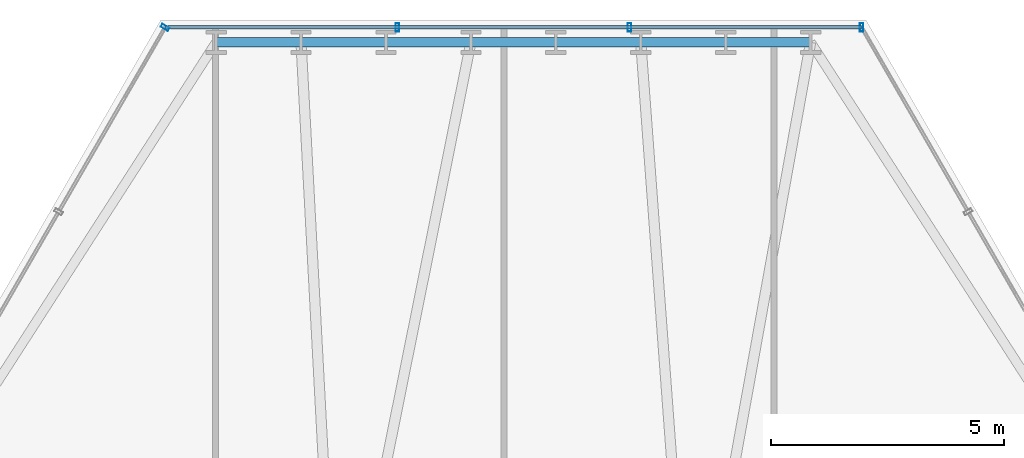
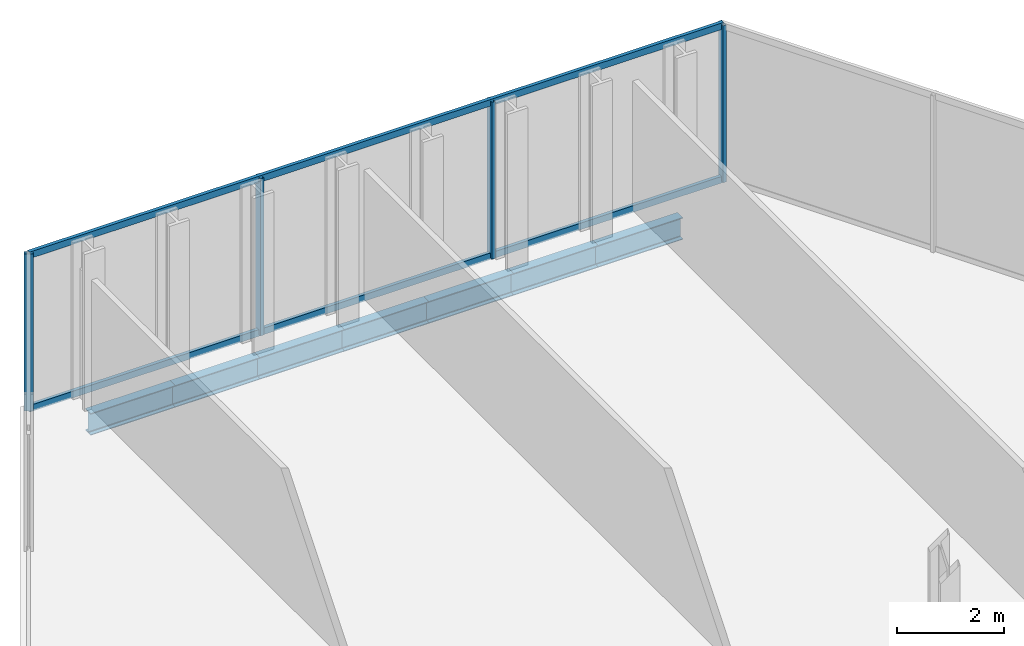
# One storey, part 24 of 32: 7 beams, 6 members, 2 elements without a shape of their own.
"""IFC4 building model written with IfcOpenShell, lengths in metres."""

import ifcopenshell
import ifcopenshell.guid

model = None  # the IFC model being written
_history = None  # IfcOwnerHistory: only IFC2X3 demands one
_inside = {}  # id of a spatial element -> (the spatial element, [elements in it])
_under = {}  # id of a project, library or spatial element -> (it, [spatial elements below it])
_declared = {}  # id of a project -> (the project, [libraries it declares])
_typed = {}  # id of a type object -> (the type object, [elements of that type])
_made_of = {}  # id of a material, layer set ... -> (it, [elements and type objects made of it])


def new_model(schema):
    """Start an empty IFC model of exactly this schema.

    Asked for "IFC4X3", IfcOpenShell would pick the latest addendum, in which some entities
    have other attributes; the version numbers below select the first issue.
    IFC2X3 requires an IfcOwnerHistory on every rooted entity: one is made here for all.
    """
    global model, _history
    if schema == "IFC4X3":
        model = ifcopenshell.file(schema_version=(4, 3, 0, 0))
    else:
        model = ifcopenshell.file(schema=schema)
    _inside.clear()
    _under.clear()
    _declared.clear()
    _typed.clear()
    _made_of.clear()
    _history = None
    if model.schema == "IFC2X3":
        org = make("IfcOrganization", Name="unknown")
        user = make(
            "IfcPersonAndOrganization",
            ThePerson=make("IfcPerson", FamilyName="unknown"),
            TheOrganization=org,
        )
        app = make(
            "IfcApplication",
            ApplicationDeveloper=org,
            Version="unknown",
            ApplicationFullName="unknown",
            ApplicationIdentifier="unknown",
        )
        _history = make(
            "IfcOwnerHistory",
            OwningUser=user,
            OwningApplication=app,
            ChangeAction="ADDED",
            CreationDate=0,
        )
    return model


def make(cls, **values):
    """One entity of the class cls with the attributes given. An attribute that is None is left unset."""
    return model.create_entity(
        cls, **{name: value for name, value in values.items() if value is not None}
    )


def rooted(cls, **values):
    """An entity with a GlobalId (a new one), such as an element, a storey or a relation."""
    return make(cls, GlobalId=ifcopenshell.guid.new(), OwnerHistory=_history, **values)


def si_unit(unit_type, name, prefix=None):
    """IfcSIUnit, for example si_unit("LENGTHUNIT", "METRE", prefix="MILLI")."""
    return make("IfcSIUnit", UnitType=unit_type, Prefix=prefix, Name=name)


def assignment(units):
    """IfcUnitAssignment: the units of a project."""
    return None if units is None else make("IfcUnitAssignment", Units=units)


def point(xyz):
    """IfcCartesianPoint."""
    return None if xyz is None else make("IfcCartesianPoint", Coordinates=xyz)


def direction(xyz):
    """IfcDirection."""
    return None if xyz is None else make("IfcDirection", DirectionRatios=xyz)


def frame(location, z_axis=None, x_axis=None):
    """IfcAxis2Placement3D, a coordinate frame: its origin and axes. An axis left out is left unset."""
    return make(
        "IfcAxis2Placement3D",
        Location=point(location),
        Axis=direction(z_axis),
        RefDirection=direction(x_axis),
    )


def frame_2d(location, x_axis=None):
    """IfcAxis2Placement2D, a coordinate frame in the plane: its origin and x axis."""
    return make(
        "IfcAxis2Placement2D", Location=point(location), RefDirection=direction(x_axis)
    )


def origin():
    """The frame at (0, 0, 0) with its axes left unset."""
    return frame((0.0, 0.0, 0.0))


def origin_2d():
    """The frame at (0, 0) in the plane with its x axis left unset."""
    return frame_2d((0.0, 0.0))


def place(relative_to, where):
    """IfcLocalPlacement: puts the frame where relative to a parent placement (None: the world)."""
    return make(
        "IfcLocalPlacement", PlacementRelTo=relative_to, RelativePlacement=where
    )


def context(
    kind, dimensions, precision=None, world=None, true_north=None, identifier=None
):
    """IfcGeometricRepresentationContext, for example the 3D "Model" context."""
    return make(
        "IfcGeometricRepresentationContext",
        ContextIdentifier=identifier,
        ContextType=kind,
        CoordinateSpaceDimension=dimensions,
        Precision=precision,
        WorldCoordinateSystem=world,
        TrueNorth=true_north,
    )


def subcontext(parent, identifier, kind, view, scale=None):
    """IfcGeometricRepresentationSubContext, for example "Body" below "Model"."""
    return make(
        "IfcGeometricRepresentationSubContext",
        ContextIdentifier=identifier,
        ContextType=kind,
        ParentContext=parent,
        TargetScale=scale,
        TargetView=view,
    )


def project(units=None, contexts=None):
    """IfcProject with its units and contexts."""
    return rooted(
        "IfcProject",
        Name="project",
        RepresentationContexts=contexts,
        UnitsInContext=assignment(units),
    )


def spatial(cls, under=None, at=None, **own):
    """A site, building, storey or space (cls), placed at a placement, below another one or the project."""
    s = rooted(cls, ObjectPlacement=at, **own)
    if under is not None:
        _under.setdefault(under.id(), (under, []))[1].append(s)
    return s


def profile(cls, at=None, kind="AREA", **sizes):
    """A parametric profile (cls). Its sizes go by their IFC names, for example OverallWidth=200.0."""
    return make(cls, ProfileType=kind, Position=at, **sizes)


def hollow_rectangle(**sizes):
    """IfcRectangleHollowProfileDef."""
    return profile("IfcRectangleHollowProfileDef", **sizes)


def i_section(**sizes):
    """IfcIShapeProfileDef."""
    return profile("IfcIShapeProfileDef", **sizes)


def extrude(swept, where, along, depth):
    """IfcExtrudedAreaSolid: the profile swept, set in the frame where, extruded along a direction by depth."""
    return make(
        "IfcExtrudedAreaSolid",
        SweptArea=swept,
        Position=where,
        ExtrudedDirection=direction(along),
        Depth=depth,
    )


def shape(context_of_items, identifier, shape_type, items):
    """IfcShapeRepresentation: the items that make up one representation, for example the "Body"."""
    return make(
        "IfcShapeRepresentation",
        ContextOfItems=context_of_items,
        RepresentationIdentifier=identifier,
        RepresentationType=shape_type,
        Items=items,
    )


def material(Name=None, Category=None):
    """IfcMaterial."""
    return make("IfcMaterial", Name=Name, Category=Category)


def layer(
    of_material, thickness, ventilated=None, Name=None, Category=None, Priority=None
):
    """IfcMaterialLayer: one layer of a wall or slab, of a material (None: an air gap)."""
    return make(
        "IfcMaterialLayer",
        Material=of_material,
        LayerThickness=thickness,
        IsVentilated=ventilated,
        Name=Name,
        Category=Category,
        Priority=Priority,
    )


def layer_set(layers, Name=None):
    """IfcMaterialLayerSet."""
    return make("IfcMaterialLayerSet", MaterialLayers=layers, LayerSetName=Name)


def material_profile(
    of_material, cross_section, Name=None, Category=None, Priority=None
):
    """IfcMaterialProfile: a cross section and its material."""
    return make(
        "IfcMaterialProfile",
        Name=Name,
        Material=of_material,
        Profile=cross_section,
        Priority=Priority,
        Category=Category,
    )


def profile_set(profiles, Name=None, composite=None):
    """IfcMaterialProfileSet."""
    return make(
        "IfcMaterialProfileSet",
        Name=Name,
        MaterialProfiles=profiles,
        CompositeProfile=composite,
    )


def made_of(thing, what):
    """Note that an element or type object is made of a material, layer set ...; save() writes the relation."""
    if what is not None:
        _made_of.setdefault(what.id(), (what, []))[1].append(thing)
    return thing


def type_object(cls, material=None, **own):
    """A type object (cls), such as IfcWallType, which elements share."""
    return made_of(rooted(cls, **own), material)


def element(
    cls,
    number,
    at=None,
    inside=None,
    cuts=None,
    type_object=None,
    material=None,
    context=None,
    identifier="Body",
    shape_type=None,
    held_by="IfcProductDefinitionShape",
    body=None,
    shapes=None,
    **own,
):
    """One element of the class cls, such as IfcWall. Its Tag is "e" and its number.

    at: its placement. inside: the storey or other place that contains it. cuts: it is an
    opening in that element (IfcRelVoidsElement). A single representation is given by context,
    identifier, shape_type and body (its items); several are given by shapes. held_by: the class
    of the entity that holds the representations. save() writes the other relations.
    """
    e = rooted(cls, Tag="e%d" % number, ObjectPlacement=at, **own)
    if body is not None:
        shapes = [shape(context, identifier, shape_type, body)]
    if shapes is not None:
        e.Representation = make(held_by, Representations=shapes)
    if inside is not None:
        _inside.setdefault(inside.id(), (inside, []))[1].append(e)
    if cuts is not None:
        rooted(
            "IfcRelVoidsElement", RelatingBuildingElement=cuts, RelatedOpeningElement=e
        )
    if type_object is not None:
        _typed.setdefault(type_object.id(), (type_object, []))[1].append(e)
    return made_of(e, material)


def aggregate(whole, parts):
    """IfcRelAggregates: a whole, such as a stair, and the parts it consists of."""
    return rooted("IfcRelAggregates", RelatingObject=whole, RelatedObjects=parts)


def save(model, path):
    """Write the relations noted so far, then the file.

    IfcRelAggregates (storeys below a building ...), IfcRelContainedInSpatialStructure (elements
    in a storey), IfcRelDefinesByType, IfcRelAssociatesMaterial and IfcRelDeclares: one each for
    every whole, place, type object, material and project.
    """
    for whole, parts in _under.values():
        aggregate(whole, parts)
    for where, things in _inside.values():
        rooted(
            "IfcRelContainedInSpatialStructure",
            RelatedElements=things,
            RelatingStructure=where,
        )
    for kind, things in _typed.values():
        rooted("IfcRelDefinesByType", RelatedObjects=things, RelatingType=kind)
    for what, things in _made_of.values():
        rooted("IfcRelAssociatesMaterial", RelatedObjects=things, RelatingMaterial=what)
    for by, libraries in _declared.values():
        rooted("IfcRelDeclares", RelatingContext=by, RelatedDefinitions=libraries)
    model.write(path)


model = new_model("IFC4")

# Units and contexts
model_context = context("Model", 3, precision=1e-05, world=origin(), true_north=direction((0.0, 1.0)))
body_context = subcontext(model_context, "Body", "Model", "MODEL_VIEW")
ifc_project = project(units=[si_unit("LENGTHUNIT", "METRE"), si_unit("AREAUNIT", "SQUARE_METRE"), si_unit("VOLUMEUNIT", "CUBIC_METRE"), si_unit("PLANEANGLEUNIT", "RADIAN"), si_unit("MASSUNIT", "GRAM", prefix="KILO")], contexts=[model_context])

# Site, building, storey
site_placement = place(None, origin())
site = spatial("IfcSite", under=ifc_project, at=site_placement, CompositionType="ELEMENT")
building_placement = place(site_placement, origin())
building = spatial("IfcBuilding", under=site, at=building_placement, Name="Ndaravel Arena Tower", CompositionType="ELEMENT")
storey_placement = place(building_placement, frame((0.0, 0.0, 74.0)))
storey = spatial("IfcBuildingStorey", under=building, at=storey_placement, Name="L16", CompositionType="ELEMENT", Elevation=74.0)

# Beams
ifc_material_1 = material(Name="Steel S355", Category="steel")
ifc_material_profile_1 = material_profile(ifc_material_1, i_section(OverallWidth=0.199951171875, OverallDepth=0.5, WebThickness=0.01025390625, FlangeThickness=0.01611328125, FilletRadius=0.02099609375, at=origin_2d()), Name="IPE 500")
ifc_profile_set_1 = profile_set([ifc_material_profile_1], Name="Steel S355")
beam_type = type_object("IfcBeamType", Name="BM-SPAN-IPE500", PredefinedType="SPANDREL", material=ifc_profile_set_1)
for number, where, z_axis, x_axis, name in (
    (1, (48.38916015625, 45.545654296875, -0.469970703125), (-1.0, 0.0, 0.0), (0.0, -1.0, 0.0), "L16 Perimeter Spandrel Beam SP-11"),
    (2, (46.563720703125, 45.545654296875, -0.469970703125), (-1.0, 0.0, 0.0), (0.0, -1.0, 0.0), "L16 Perimeter Spandrel Beam SP-12"),
):
    element("IfcBeam", number, at=place(storey_placement, frame(where, z_axis=z_axis, x_axis=x_axis)), inside=storey, type_object=beam_type, Name=name, PredefinedType="SPANDREL", context=body_context, shape_type="SweptSolid", body=[
        extrude(i_section(OverallWidth=0.199951171875, OverallDepth=0.5, WebThickness=0.01025390625, FlangeThickness=0.01611328125, FilletRadius=0.02099609375, at=origin_2d()), origin(), (0.0, 0.0, 1.0), 1.825439453125),
    ])
beam_1_placement = place(storey_placement, frame((44.73828125, 45.545654296875, -0.469970703125), z_axis=(-1.0, 0.0, 0.0), x_axis=(0.0, -1.0, 0.0)))
element("IfcBeam", 3, at=beam_1_placement, inside=storey, type_object=beam_type, Name="L16 Perimeter Spandrel Beam SP-13", PredefinedType="SPANDREL", context=body_context, shape_type="SweptSolid", body=[
    extrude(i_section(OverallWidth=0.199951171875, OverallDepth=0.5, WebThickness=0.01025390625, FlangeThickness=0.01611328125, FilletRadius=0.02099609375, at=origin_2d()), origin(), (0.0, 0.0, 1.0), 1.82568359375),
])
beam_2_placement = place(storey_placement, frame((42.91259765625, 45.545654296875, -0.469970703125), z_axis=(-1.0, 0.0, 0.0), x_axis=(0.0, -1.0, 0.0)))
element("IfcBeam", 4, at=beam_2_placement, inside=storey, type_object=beam_type, Name="L16 Perimeter Spandrel Beam SP-14", PredefinedType="SPANDREL", context=body_context, shape_type="SweptSolid", body=[
    extrude(i_section(OverallWidth=0.199951171875, OverallDepth=0.5, WebThickness=0.01025390625, FlangeThickness=0.01611328125, FilletRadius=0.02099609375, at=origin_2d()), origin(), (0.0, 0.0, 1.0), 1.8251953125),
])
beam_3_placement = place(storey_placement, frame((41.08740234375, 45.545654296875, -0.469970703125), z_axis=(-1.0, 0.0, 0.0), x_axis=(0.0, -1.0, 0.0)))
element("IfcBeam", 5, at=beam_3_placement, inside=storey, type_object=beam_type, Name="L16 Perimeter Spandrel Beam SP-15", PredefinedType="SPANDREL", context=body_context, shape_type="SweptSolid", body=[
    extrude(i_section(OverallWidth=0.199951171875, OverallDepth=0.5, WebThickness=0.01025390625, FlangeThickness=0.01611328125, FilletRadius=0.02099609375, at=origin_2d()), origin(), (0.0, 0.0, 1.0), 1.82568359375),
])
for number, where, z_axis, x_axis, name in (
    (6, (39.26171875, 45.545654296875, -0.469970703125), (-1.0, 0.0, 0.0), (0.0, -1.0, 0.0), "L16 Perimeter Spandrel Beam SP-16"),
    (7, (37.436279296875, 45.545654296875, -0.469970703125), (-1.0, 0.0, 0.0), (0.0, -1.0, 0.0), "L16 Perimeter Spandrel Beam SP-17"),
):
    element("IfcBeam", number, at=place(storey_placement, frame(where, z_axis=z_axis, x_axis=x_axis)), inside=storey, type_object=beam_type, Name=name, PredefinedType="SPANDREL", context=body_context, shape_type="SweptSolid", body=[
        extrude(i_section(OverallWidth=0.199951171875, OverallDepth=0.5, WebThickness=0.01025390625, FlangeThickness=0.01611328125, FilletRadius=0.02099609375, at=origin_2d()), origin(), (0.0, 0.0, 1.0), 1.825439453125),
    ])

# Curtain wall, members
ifc_material_2 = material(Name="Aluminium", Category="aluminium")
ifc_layer_1 = layer(ifc_material_2, 0.179931640625)
ifc_layer_set_1 = layer_set([ifc_layer_1], Name="Aluminium")
curtain_wall_type_1 = type_object("IfcCurtainWallType", Name="CW-SYS-01", PredefinedType="NOTDEFINED", material=ifc_layer_set_1)
curtain_wall_1_placement = place(storey_placement, origin())
curtain_wall_1 = element("IfcCurtainWall", 8, at=curtain_wall_1_placement, inside=storey, type_object=curtain_wall_type_1, Name="L16 Faceted Crystal Curtain Wall CW-L16-E04", PredefinedType="NOTDEFINED")
ifc_material_3 = material(Name="Aluminium", Category="aluminium")
ifc_material_profile_2 = material_profile(ifc_material_3, hollow_rectangle(XDim=0.074951171875, YDim=0.179931640625, WallThickness=0.00390625, at=origin_2d()), Name="CW MULLION 75x180x4")
ifc_profile_set_2 = profile_set([ifc_material_profile_2], Name="Aluminium")
member_type_1 = type_object("IfcMemberType", Name="MEM-CW-MUL180", PredefinedType="MULLION", material=ifc_profile_set_2)
member_1_placement = place(storey_placement, frame((49.486572265625, 45.865478515625, 0.0), z_axis=(0.0, 0.0, 1.0), x_axis=(-1.0, 0.0, 0.0)))
member_1 = element("IfcMember", 9, at=member_1_placement, type_object=member_type_1, Name="CW-L16-E04 Mullion 00", PredefinedType="MULLION", context=body_context, shape_type="SweptSolid", body=[
    extrude(hollow_rectangle(XDim=0.074951171875, YDim=0.179931640625, WallThickness=0.00390625, at=origin_2d()), origin(), (0.0, 0.0, 1.0), 3.580078125),
])
member_2_placement = place(storey_placement, frame((44.49560546875, 45.865478515625, 0.0), z_axis=(0.0, 0.0, 1.0), x_axis=(-1.0, 0.0, 0.0)))
member_2 = element("IfcMember", 10, at=member_2_placement, type_object=member_type_1, Name="CW-L16-E04 Mullion 01", PredefinedType="MULLION", context=body_context, shape_type="SweptSolid", body=[
    extrude(hollow_rectangle(XDim=0.074951171875, YDim=0.179931640625, WallThickness=0.00390625, at=origin_2d()), origin(), (0.0, 0.0, 1.0), 3.580078125),
])
member_3_placement = place(storey_placement, frame((39.50439453125, 45.865478515625, 0.0), z_axis=(0.0, 0.0, 1.0), x_axis=(-1.0, 0.0, 0.0)))
member_3 = element("IfcMember", 11, at=member_3_placement, type_object=member_type_1, Name="CW-L16-E04 Mullion 02", PredefinedType="MULLION", context=body_context, shape_type="SweptSolid", body=[
    extrude(hollow_rectangle(XDim=0.074951171875, YDim=0.179931640625, WallThickness=0.00390625, at=origin_2d()), origin(), (0.0, 0.0, 1.0), 3.580078125),
])

# Curtain wall, member
ifc_material_4 = material(Name="Aluminium", Category="aluminium")
ifc_layer_2 = layer(ifc_material_4, 0.179931640625)
ifc_layer_set_2 = layer_set([ifc_layer_2], Name="Aluminium")
curtain_wall_type_2 = type_object("IfcCurtainWallType", Name="CW-SYS-03", PredefinedType="NOTDEFINED", material=ifc_layer_set_2)
curtain_wall_2_placement = place(storey_placement, origin())
curtain_wall_2 = element("IfcCurtainWall", 12, at=curtain_wall_2_placement, inside=storey, type_object=curtain_wall_type_2, Name="L16 Faceted Crystal Curtain Wall CW-L16-E05", PredefinedType="NOTDEFINED")
member_4_placement = place(storey_placement, frame((34.513427734375, 45.865478515625, 0.0), z_axis=(0.0, 0.0, 1.0), x_axis=(-0.5, -0.866025403784, 0.0)))
member_4 = element("IfcMember", 13, at=member_4_placement, type_object=member_type_1, Name="CW-L16-E05 Mullion 00", PredefinedType="MULLION", context=body_context, shape_type="SweptSolid", body=[
    extrude(hollow_rectangle(XDim=0.074951171875, YDim=0.179931640625, WallThickness=0.00390625, at=origin_2d()), origin(), (0.0, 0.0, 1.0), 3.580078125),
])
aggregate(curtain_wall_2, [member_4])

# Member
ifc_material_5 = material(Name="Aluminium", Category="aluminium")
ifc_material_profile_3 = material_profile(ifc_material_5, hollow_rectangle(XDim=0.074951171875, YDim=0.14990234375, WallThickness=0.00390625, at=origin_2d()), Name="CW TRANSOM 75x150x4")
ifc_profile_set_3 = profile_set([ifc_material_profile_3], Name="Aluminium")
member_type_2 = type_object("IfcMemberType", Name="MEM-CW-TRN150", PredefinedType="USERDEFINED", material=ifc_profile_set_3)
member_5_placement = place(storey_placement, frame((49.486572265625, 45.865478515625, 0.0400390625), z_axis=(-1.0, 0.0, 0.0), x_axis=(0.0, -1.0, 0.0)))
member_5 = element("IfcMember", 14, at=member_5_placement, type_object=member_type_2, Name="CW-L16-E04 Transom 01", ObjectType="TRANSOM", PredefinedType="USERDEFINED", context=body_context, shape_type="SweptSolid", body=[
    extrude(hollow_rectangle(XDim=0.074951171875, YDim=0.14990234375, WallThickness=0.00390625, at=origin_2d()), origin(), (0.0, 0.0, 1.0), 14.97314453125),
])

member_6_placement = place(storey_placement, frame((49.486572265625, 45.865478515625, 3.5400390625), z_axis=(-1.0, 0.0, 0.0), x_axis=(0.0, -1.0, 0.0)))
member_6 = element("IfcMember", 15, at=member_6_placement, type_object=member_type_2, Name="CW-L16-E04 Transom 02", ObjectType="TRANSOM", PredefinedType="USERDEFINED", context=body_context, shape_type="SweptSolid", body=[
    extrude(hollow_rectangle(XDim=0.074951171875, YDim=0.14990234375, WallThickness=0.00390625, at=origin_2d()), origin(), (0.0, 0.0, 1.0), 14.97314453125),
])

aggregate(curtain_wall_1, [member_1, member_2, member_3, member_5, member_6])

save(model, "model.ifc")
